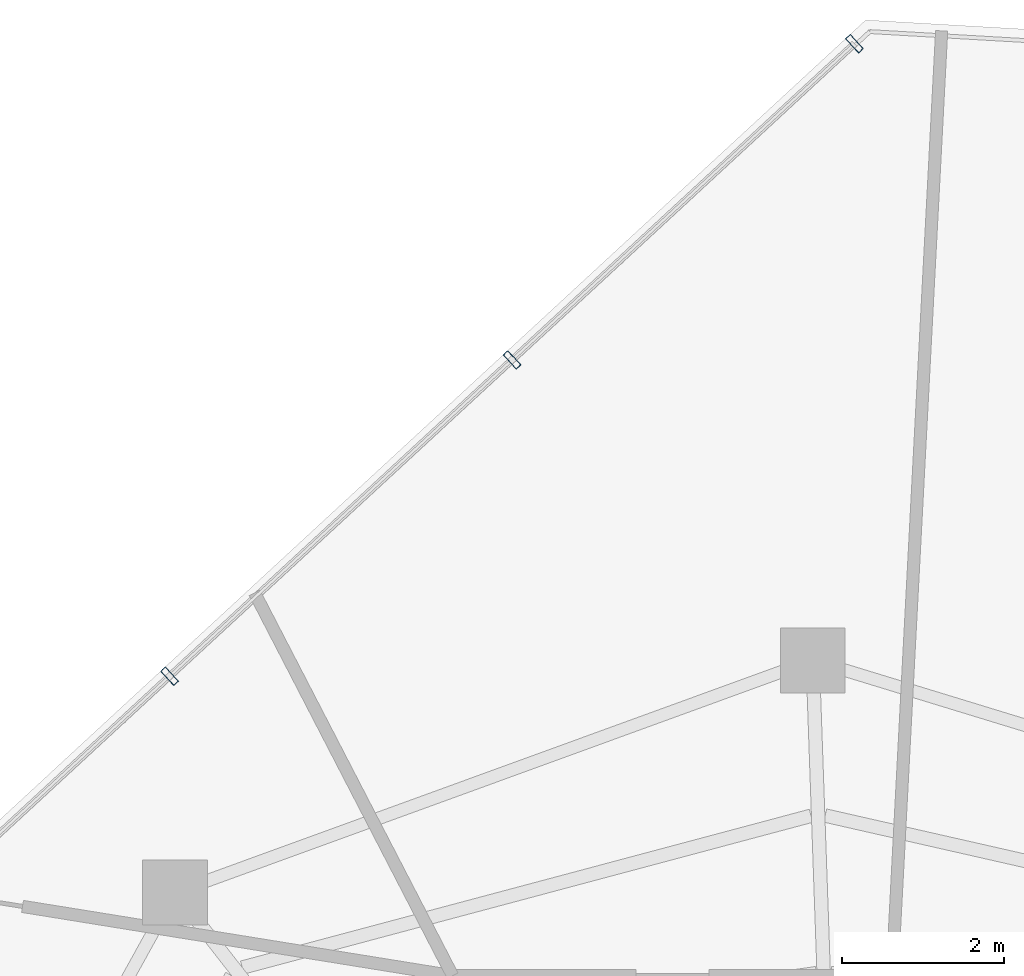
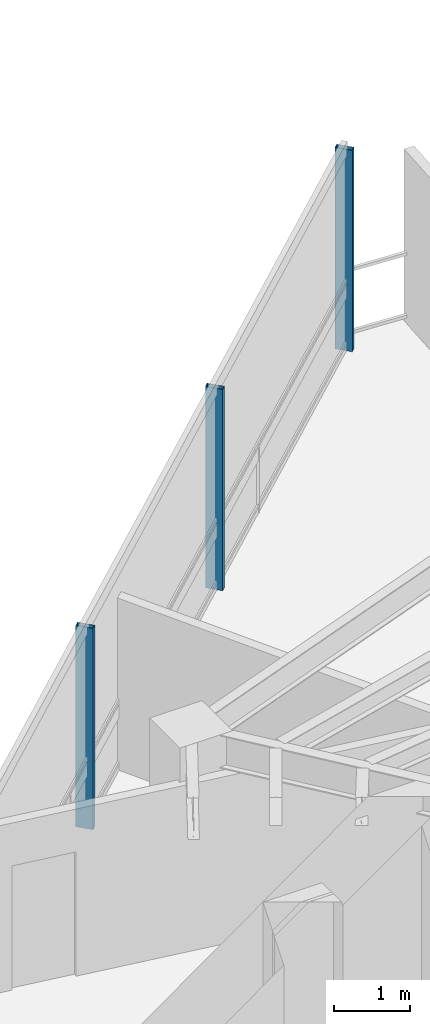
# One storey, part 11 of 19: 3 members, 1 element without a shape of its own.
"""IFC4 building model written with IfcOpenShell, lengths in metres."""

from ifc_helpers import new_model, si_unit, direction, frame, origin, origin_2d, place, context, subcontext, project, spatial, hollow_rectangle, extrude, material, layer, layer_set, material_profile, profile_set, type_object, element, aggregate, save


model = new_model("IFC4")

# Units and contexts
model_context = context("Model", 3, precision=1e-05, world=origin(), true_north=direction((0.0, 1.0)))
body_context = subcontext(model_context, "Body", "Model", "MODEL_VIEW")
ifc_project = project(units=[si_unit("LENGTHUNIT", "METRE"), si_unit("AREAUNIT", "SQUARE_METRE"), si_unit("VOLUMEUNIT", "CUBIC_METRE"), si_unit("PLANEANGLEUNIT", "RADIAN"), si_unit("MASSUNIT", "GRAM", prefix="KILO")], contexts=[model_context])

# Site, building, storey
site_placement = place(None, origin())
site = spatial("IfcSite", under=ifc_project, at=site_placement, CompositionType="ELEMENT")
building_placement = place(site_placement, origin())
building = spatial("IfcBuilding", under=site, at=building_placement, Name="Qarnah Convention Tower", CompositionType="ELEMENT")
storey_placement = place(building_placement, frame((0.0, 0.0, 228.300048828125)))
storey = spatial("IfcBuildingStorey", under=building, at=storey_placement, Name="L61", CompositionType="ELEMENT", Elevation=228.300048828125)

# Curtain wall, members
ifc_material_1 = material(Name="Tempered Low-E dark glass", Category="glass")
ifc_layer = layer(ifc_material_1, 0.176025390625)
ifc_layer_set = layer_set([ifc_layer], Name="Tempered Low-E dark glass")
curtain_wall_type = type_object("IfcCurtainWallType", Name="CWS-05", PredefinedType="NOTDEFINED", material=ifc_layer_set)
curtain_wall_placement = place(storey_placement, origin())
curtain_wall = element("IfcCurtainWall", 1, at=curtain_wall_placement, inside=storey, type_object=curtain_wall_type, Name="L61 unitised curtain wall CW-L61-F1", PredefinedType="NOTDEFINED")
ifc_material_2 = material(Name="Black anodised aluminium", Category="aluminium")
ifc_material_profile = material_profile(ifc_material_2, hollow_rectangle(XDim=0.080078125, YDim=0.239990234375, WallThickness=0.0048828125, at=origin_2d()), Name="MUL-80X240")
ifc_profile_set = profile_set([ifc_material_profile], Name="Black anodised aluminium")
member_type = type_object("IfcMemberType", Name="MUL-T5", PredefinedType="MULLION", material=ifc_profile_set)
member_1_placement = place(storey_placement, frame((28.78955078125, 39.747314453125, 0.0), z_axis=(0.0, 0.0, 1.0), x_axis=(0.734656810589, 0.678438921831, 0.0)))
member_1 = element("IfcMember", 2, at=member_1_placement, type_object=member_type, Name="CW-L61-F1 mullion 4", PredefinedType="MULLION", context=body_context, shape_type="SweptSolid", body=[
    extrude(hollow_rectangle(XDim=0.080078125, YDim=0.239990234375, WallThickness=0.0048828125, at=origin_2d()), origin(), (0.0, 0.0, 1.0), 3.239990234375),
])
member_2_placement = place(storey_placement, frame((33.015869140625, 43.650146484375, 0.0), z_axis=(0.0, 0.0, 1.0), x_axis=(0.734656810589, 0.678438921831, 0.0)))
member_2 = element("IfcMember", 3, at=member_2_placement, type_object=member_type, Name="CW-L61-F1 mullion 5", PredefinedType="MULLION", context=body_context, shape_type="SweptSolid", body=[
    extrude(hollow_rectangle(XDim=0.080078125, YDim=0.239990234375, WallThickness=0.0048828125, at=origin_2d()), origin(), (0.0, 0.0, 1.0), 3.239990234375),
])
member_3_placement = place(storey_placement, frame((37.241943359375, 47.552978515625, 0.0), z_axis=(0.0, 0.0, 1.0), x_axis=(0.734656810589, 0.678438921831, 0.0)))
member_3 = element("IfcMember", 4, at=member_3_placement, type_object=member_type, Name="CW-L61-F1 mullion 6", PredefinedType="MULLION", context=body_context, shape_type="SweptSolid", body=[
    extrude(hollow_rectangle(XDim=0.080078125, YDim=0.239990234375, WallThickness=0.0048828125, at=origin_2d()), origin(), (0.0, 0.0, 1.0), 3.239990234375),
])
aggregate(curtain_wall, [member_1, member_2, member_3])

save(model, "model.ifc")
